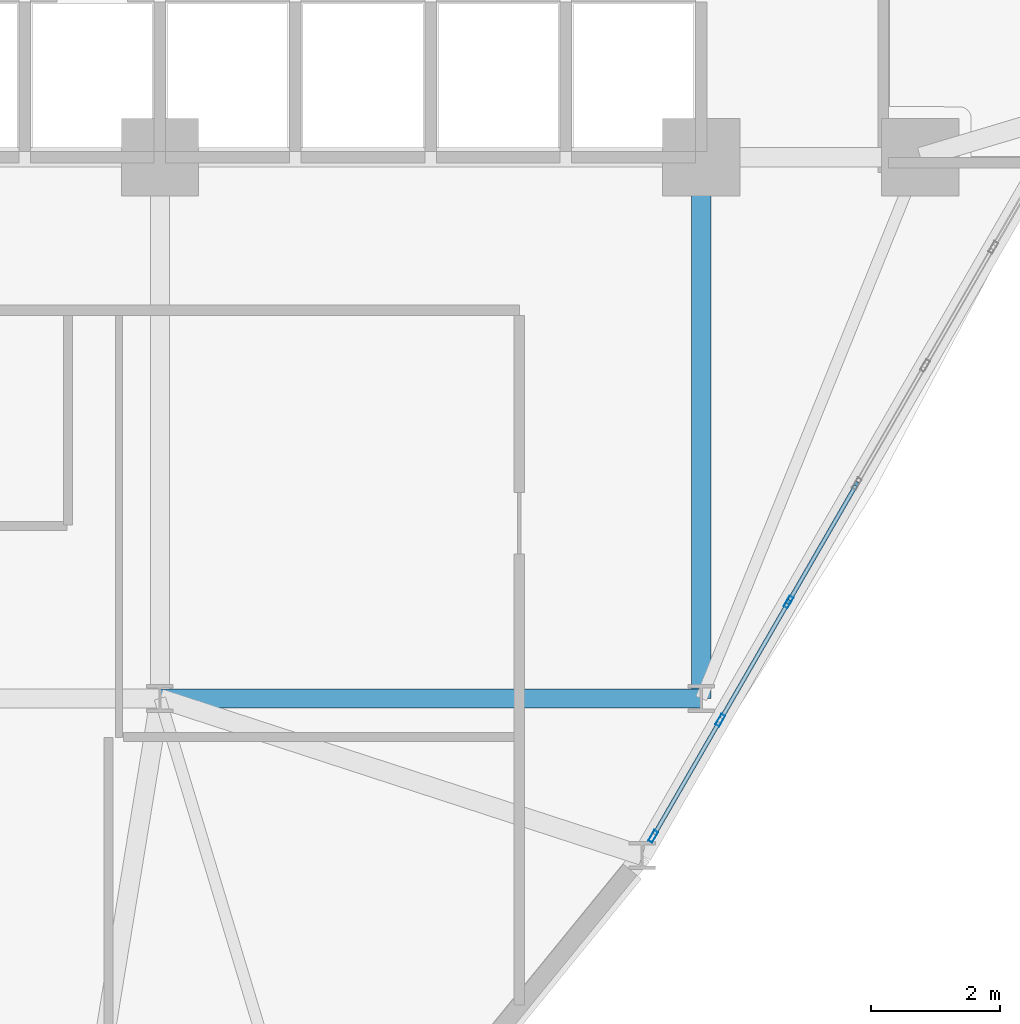
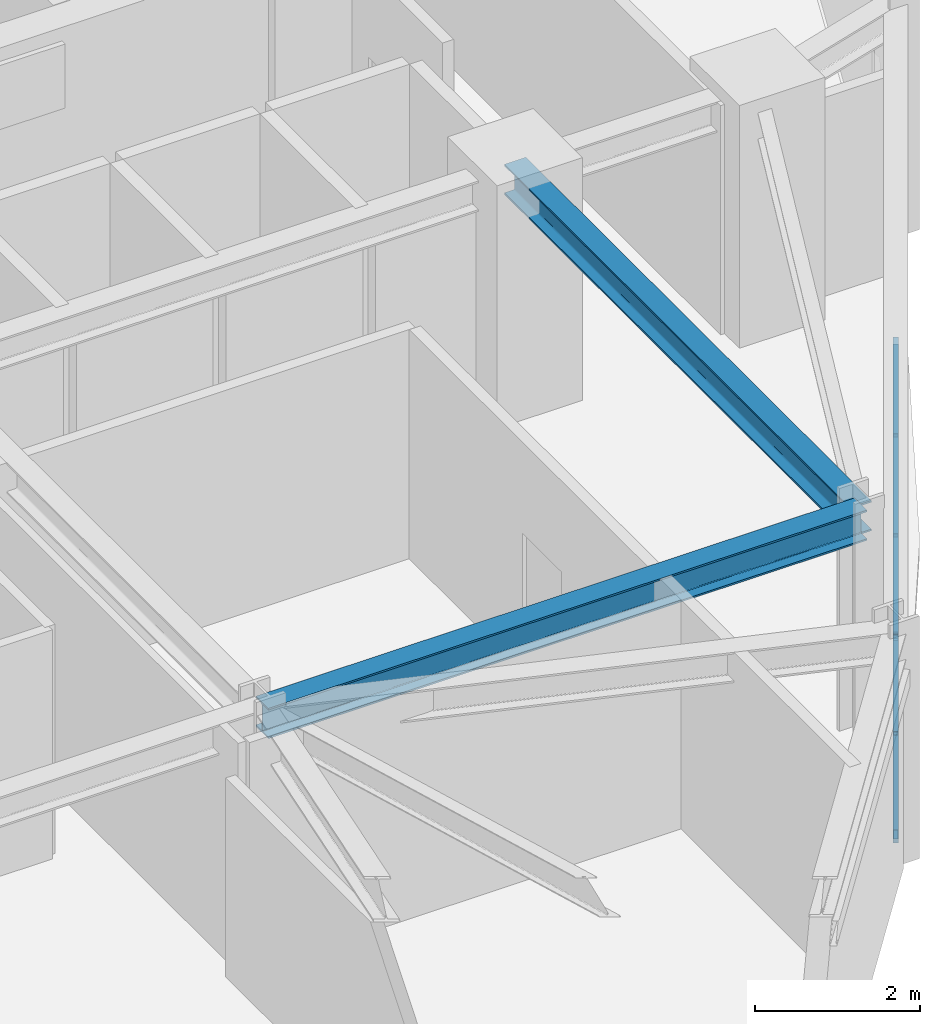
# One storey, part 6 of 18: 10 members, 2 beams, 1 element without a shape of its own.
"""IFC4 building model written with IfcOpenShell, lengths in metres."""

from ifc_helpers import new_model, si_unit, derived_unit, direction, frame, origin, origin_2d, place, context, subcontext, project, spatial, hollow_rectangle, i_section, extrude, source, transform, mapped, material, layer, layer_set, material_profile, profile_set, type_object, element, aggregate, save


model = new_model("IFC4")

# Units and contexts
model_context = context("Model", 3, precision=1e-05, world=origin(), true_north=direction((0.0, 1.0)))
body_context = subcontext(model_context, "Body", "Model", "MODEL_VIEW")
ifc_project = project(units=[si_unit("LENGTHUNIT", "METRE"), si_unit("AREAUNIT", "SQUARE_METRE"), si_unit("VOLUMEUNIT", "CUBIC_METRE"), si_unit("PLANEANGLEUNIT", "RADIAN"), si_unit("MASSUNIT", "GRAM", prefix="KILO"), derived_unit("THERMALTRANSMITTANCEUNIT", [(si_unit("POWERUNIT", "WATT"), 1), (si_unit("LENGTHUNIT", "METRE"), -2), (si_unit("THERMODYNAMICTEMPERATUREUNIT", "KELVIN"), -1)])], contexts=[model_context])

# Site, building, storey
site_placement = place(None, origin())
site = spatial("IfcSite", under=ifc_project, at=site_placement, CompositionType="ELEMENT")
building_placement = place(site_placement, origin())
building = spatial("IfcBuilding", under=site, at=building_placement, Name="Korsvarv Bourse and Concert Hall", CompositionType="ELEMENT")
storey_placement = place(building_placement, frame((0.0, 0.0, 139.800048828125)))
storey = spatial("IfcBuildingStorey", under=building, at=storey_placement, Name="L35", CompositionType="ELEMENT", Elevation=139.800048828125)

# Beams
ifc_material_1 = material(Name="Steel S355", Category="steel")
ifc_material_profile_1 = material_profile(ifc_material_1, i_section(OverallWidth=0.300048828125, OverallDepth=0.449951171875, WebThickness=0.013916015625, FlangeThickness=0.02587890625, FilletRadius=0.02099609375, at=origin_2d()), Name="HEB 450")
ifc_profile_set_1 = profile_set([ifc_material_profile_1], Name="Steel S355")
beam_type = type_object("IfcBeamType", Name="BM-HEB450", PredefinedType="SPANDREL", material=ifc_profile_set_1)
shared_shape_1 = source(origin(), body_context, "Body", "SweptSolid", [
    extrude(i_section(OverallWidth=0.300048828125, OverallDepth=0.449951171875, WebThickness=0.013916015625, FlangeThickness=0.02587890625, FilletRadius=0.02099609375, at=origin_2d()), origin(), (0.0, 0.0, 1.0), 8.39990234375),
])
for number, where, z_axis, x_axis, name in (
    (1, (36.0, 24.0, 3.175048828125), (1.0, 0.0, 0.0), (0.0, 1.0, 0.0), "L35 beam B-08"),
    (2, (44.39990234375, 24.0, 3.175048828125), (0.0, 1.0, 0.0), (-1.0, 0.0, 0.0), "L35 beam B-08"),
):
    element("IfcBeam", number, at=place(storey_placement, frame(where, z_axis=z_axis, x_axis=x_axis)), inside=storey, type_object=beam_type, Name=name, PredefinedType="SPANDREL", context=body_context, shape_type="MappedRepresentation", body=[
        mapped(shared_shape_1, transform((0.0, 0.0, 0.0), scale=1.0)),
    ])

# Curtain wall, members
ifc_material_2 = material(Name="Anodised aluminium and triple low-E glazing", Category="glass")
ifc_layer = layer(ifc_material_2, 0.2099609375)
ifc_layer_set = layer_set([ifc_layer], Name="Anodised aluminium and triple low-E glazing")
curtain_wall_type = type_object("IfcCurtainWallType", Name="CW-SYS-2", PredefinedType="NOTDEFINED", material=ifc_layer_set)
curtain_wall_placement = place(storey_placement, origin())
curtain_wall = element("IfcCurtainWall", 3, at=curtain_wall_placement, inside=storey, type_object=curtain_wall_type, Name="L35 CW2 curtain wall CW-L35-F11", PredefinedType="NOTDEFINED")
ifc_material_3 = material(Name="Extruded aluminium EN AW-6063 T66", Category="aluminium")
ifc_material_profile_2 = material_profile(ifc_material_3, hollow_rectangle(XDim=0.070068359375, YDim=0.18994140625, WallThickness=0.0048828125, at=origin_2d()), Name="ALU-M 70x190")
ifc_profile_set_2 = profile_set([ifc_material_profile_2], Name="Extruded aluminium EN AW-6063 T66")
member_type_1 = type_object("IfcMemberType", Name="CWM-190", PredefinedType="MULLION", material=ifc_profile_set_2)
shared_shape_2 = source(origin(), body_context, "Body", "SweptSolid", [
    extrude(hollow_rectangle(XDim=0.070068359375, YDim=0.18994140625, WallThickness=0.0048828125, at=origin_2d()), origin(), (0.0, 0.0, 1.0), 3.0),
])
member_1_placement = place(storey_placement, frame((43.654296875, 21.8583984375, 0.0), z_axis=(0.0, 0.0, 1.0), x_axis=(-0.866025213439, 0.500000329688, 0.0)))
member_1 = element("IfcMember", 4, at=member_1_placement, type_object=member_type_1, Name="CW2 mullion 1", PredefinedType="MULLION", context=body_context, shape_type="MappedRepresentation", body=[
    mapped(shared_shape_2, transform((0.0, 0.0, 0.0), scale=1.0)),
])
member_2_placement = place(storey_placement, frame((44.696044921875, 23.66259765625, 0.0), z_axis=(0.0, 0.0, 1.0), x_axis=(-0.866025213439, 0.500000329688, 0.0)))
member_2 = element("IfcMember", 5, at=member_2_placement, type_object=member_type_1, Name="CW2 mullion 2", PredefinedType="MULLION", context=body_context, shape_type="MappedRepresentation", body=[
    mapped(shared_shape_2, transform((0.0, 0.0, 0.0), scale=1.0)),
])
member_3_placement = place(storey_placement, frame((45.755126953125, 25.4970703125, 0.0), z_axis=(0.0, 0.0, 1.0), x_axis=(-0.866025213439, 0.500000329688, 0.0)))
member_3 = element("IfcMember", 6, at=member_3_placement, type_object=member_type_1, Name="CW2 mullion 3", PredefinedType="MULLION", context=body_context, shape_type="MappedRepresentation", body=[
    mapped(shared_shape_2, transform((0.0, 0.0, 0.0), scale=1.0)),
])
ifc_material_profile_3 = material_profile(ifc_material_3, hollow_rectangle(XDim=0.06494140625, YDim=0.139892578125, WallThickness=0.00390625, at=origin_2d()), Name="ALU-T 65x140")
ifc_profile_set_3 = profile_set([ifc_material_profile_3], Name="Extruded aluminium EN AW-6063 T66")
member_type_2 = type_object("IfcMemberType", Name="CWT-140", PredefinedType="USERDEFINED", material=ifc_profile_set_3)
shared_shape_3 = source(origin(), body_context, "Body", "SweptSolid", [
    extrude(hollow_rectangle(XDim=0.06494140625, YDim=0.139892578125, WallThickness=0.00390625, at=origin_2d()), origin(), (0.0, 0.0, 1.0), 2.04833984375),
])
member_4_placement = place(storey_placement, frame((44.71337890625, 23.69287109375, 0.032470703125), z_axis=(0.499997581422, 0.866026800146, 0.0), x_axis=(-0.866026800146, 0.499997581422, 0.0)))
member_4 = element("IfcMember", 7, at=member_4_placement, type_object=member_type_2, Name="CW2 transom 2.1", ObjectType="TRANSOM", PredefinedType="USERDEFINED", context=body_context, shape_type="MappedRepresentation", body=[
    mapped(shared_shape_3, transform((0.0, 0.0, 0.0), scale=1.0)),
])
member_5_placement = place(storey_placement, frame((44.71337890625, 23.69287109375, 2.967529296875), z_axis=(0.499997581422, 0.866026800146, 0.0), x_axis=(-0.866026800146, 0.499997581422, 0.0)))
member_5 = element("IfcMember", 8, at=member_5_placement, type_object=member_type_2, Name="CW2 transom 2.2", ObjectType="TRANSOM", PredefinedType="USERDEFINED", context=body_context, shape_type="MappedRepresentation", body=[
    mapped(shared_shape_3, transform((0.0, 0.0, 0.0), scale=1.0)),
])
member_6_placement = place(storey_placement, frame((45.772705078125, 25.52734375, 0.032470703125), z_axis=(0.499908181442, 0.866078408764, 0.0), x_axis=(-0.866078408764, 0.499908181442, 0.0)))
member_6 = element("IfcMember", 9, at=member_6_placement, type_object=member_type_2, Name="CW2 transom 3.1", ObjectType="TRANSOM", PredefinedType="USERDEFINED", context=body_context, shape_type="MappedRepresentation", body=[
    mapped(shared_shape_3, transform((0.0, 0.0, 0.0), scale=1.0)),
])
member_7_placement = place(storey_placement, frame((45.772705078125, 25.52734375, 2.967529296875), z_axis=(0.499908181442, 0.866078408764, 0.0), x_axis=(-0.866078408764, 0.499908181442, 0.0)))
member_7 = element("IfcMember", 10, at=member_7_placement, type_object=member_type_2, Name="CW2 transom 3.2", ObjectType="TRANSOM", PredefinedType="USERDEFINED", context=body_context, shape_type="MappedRepresentation", body=[
    mapped(shared_shape_3, transform((0.0, 0.0, 0.0), scale=1.0)),
])
ifc_material_profile_4 = material_profile(ifc_material_3, hollow_rectangle(XDim=0.06494140625, YDim=0.1650390625, WallThickness=0.0048828125, at=origin_2d()), Name="ALU-M 65x165")
ifc_profile_set_4 = profile_set([ifc_material_profile_4], Name="Extruded aluminium EN AW-6063 T66")
member_type_3 = type_object("IfcMemberType", Name="CWM-165", PredefinedType="MULLION", material=ifc_profile_set_4)
shared_shape_4 = source(origin(), body_context, "Body", "SweptSolid", [
    extrude(hollow_rectangle(XDim=0.06494140625, YDim=0.1650390625, WallThickness=0.0048828125, at=origin_2d()), origin(), (0.0, 0.0, 1.0), 3.526123046875),
])
member_8_placement = place(storey_placement, frame((45.772705078125, 25.52734375, 0.06494140625), z_axis=(0.290391460573, 0.50309593527, 0.813982358249), x_axis=(-0.866078408764, 0.499908181442, 0.0)))
member_8 = element("IfcMember", 11, at=member_8_placement, type_object=member_type_3, Name="CW2 diagonal mullion 3", PredefinedType="MULLION", context=body_context, shape_type="MappedRepresentation", body=[
    mapped(shared_shape_4, transform((0.0, 0.0, 0.0), scale=1.0)),
])
shared_shape_5 = source(origin(), body_context, "Body", "SweptSolid", [
    extrude(hollow_rectangle(XDim=0.06494140625, YDim=0.139892578125, WallThickness=0.00390625, at=origin_2d()), origin(), (0.0, 0.0, 1.0), 2.01318359375),
])
member_9_placement = place(storey_placement, frame((43.671875, 21.888671875, 0.032470703125), z_axis=(0.500012890865, 0.866017961112, 0.0), x_axis=(-0.866017961112, 0.500012890865, 0.0)))
member_9 = element("IfcMember", 12, at=member_9_placement, type_object=member_type_2, Name="CW2 transom 1.1", ObjectType="TRANSOM", PredefinedType="USERDEFINED", context=body_context, shape_type="MappedRepresentation", body=[
    mapped(shared_shape_5, transform((0.0, 0.0, 0.0), scale=1.0)),
])
member_10_placement = place(storey_placement, frame((43.671875, 21.888671875, 2.967529296875), z_axis=(0.500012890865, 0.866017961112, 0.0), x_axis=(-0.866017961112, 0.500012890865, 0.0)))
member_10 = element("IfcMember", 13, at=member_10_placement, type_object=member_type_2, Name="CW2 transom 1.2", ObjectType="TRANSOM", PredefinedType="USERDEFINED", context=body_context, shape_type="MappedRepresentation", body=[
    mapped(shared_shape_5, transform((0.0, 0.0, 0.0), scale=1.0)),
])
aggregate(curtain_wall, [member_1, member_2, member_3, member_9, member_10, member_4, member_5, member_6, member_7, member_8])

save(model, "model.ifc")
